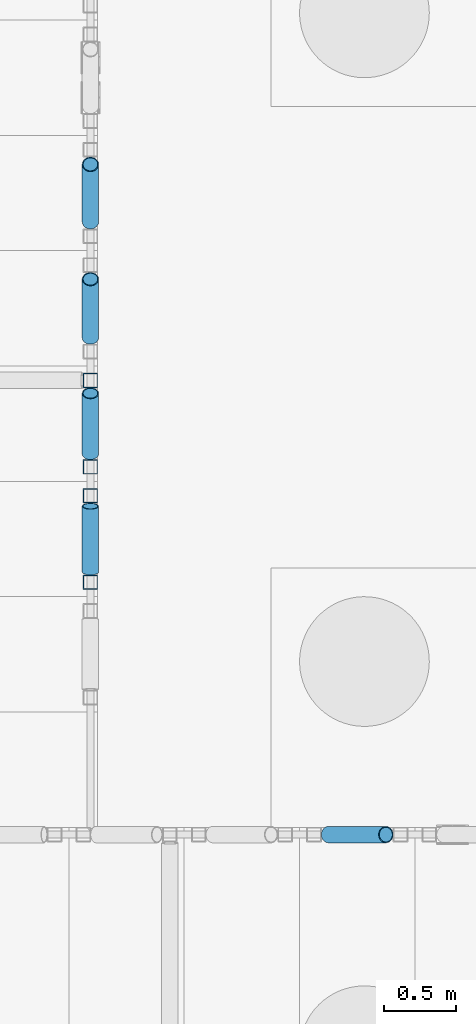
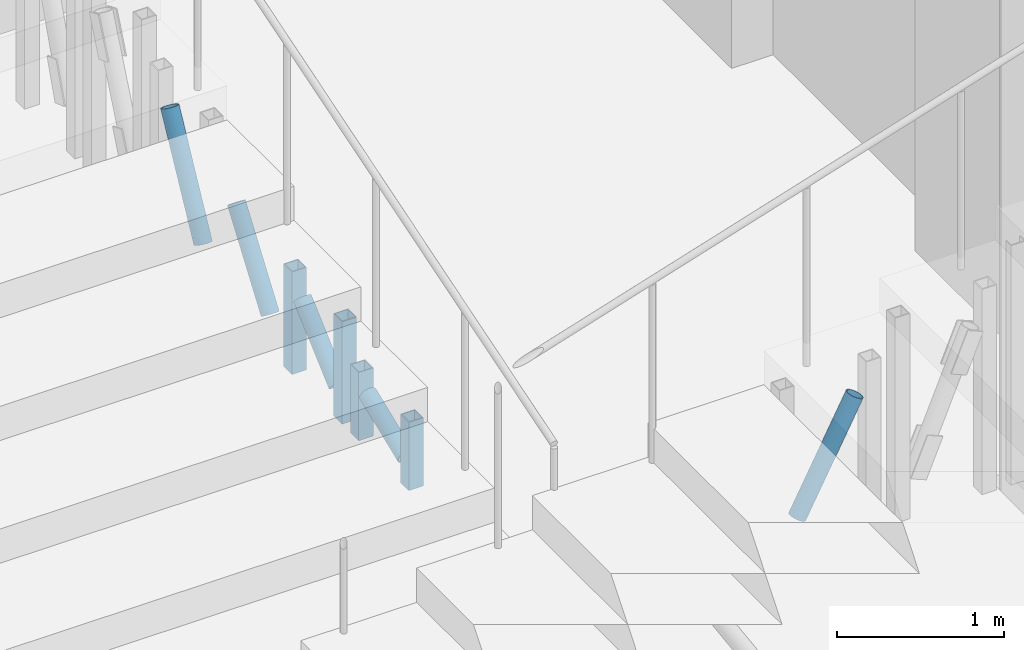
# One storey, part 71 of 139: 9 members.
"""IFC4 building model written with IfcOpenShell, lengths in metres."""

import ifcopenshell
import ifcopenshell.guid

model = None  # the IFC model being written
_history = None  # IfcOwnerHistory: only IFC2X3 demands one
_inside = {}  # id of a spatial element -> (the spatial element, [elements in it])
_under = {}  # id of a project, library or spatial element -> (it, [spatial elements below it])
_declared = {}  # id of a project -> (the project, [libraries it declares])
_typed = {}  # id of a type object -> (the type object, [elements of that type])
_made_of = {}  # id of a material, layer set ... -> (it, [elements and type objects made of it])


def new_model(schema):
    """Start an empty IFC model of exactly this schema.

    Asked for "IFC4X3", IfcOpenShell would pick the latest addendum, in which some entities
    have other attributes; the version numbers below select the first issue.
    IFC2X3 requires an IfcOwnerHistory on every rooted entity: one is made here for all.
    """
    global model, _history
    if schema == "IFC4X3":
        model = ifcopenshell.file(schema_version=(4, 3, 0, 0))
    else:
        model = ifcopenshell.file(schema=schema)
    _inside.clear()
    _under.clear()
    _declared.clear()
    _typed.clear()
    _made_of.clear()
    _history = None
    if model.schema == "IFC2X3":
        org = make("IfcOrganization", Name="unknown")
        user = make(
            "IfcPersonAndOrganization",
            ThePerson=make("IfcPerson", FamilyName="unknown"),
            TheOrganization=org,
        )
        app = make(
            "IfcApplication",
            ApplicationDeveloper=org,
            Version="unknown",
            ApplicationFullName="unknown",
            ApplicationIdentifier="unknown",
        )
        _history = make(
            "IfcOwnerHistory",
            OwningUser=user,
            OwningApplication=app,
            ChangeAction="ADDED",
            CreationDate=0,
        )
    return model


def make(cls, **values):
    """One entity of the class cls with the attributes given. An attribute that is None is left unset."""
    return model.create_entity(
        cls, **{name: value for name, value in values.items() if value is not None}
    )


def rooted(cls, **values):
    """An entity with a GlobalId (a new one), such as an element, a storey or a relation."""
    return make(cls, GlobalId=ifcopenshell.guid.new(), OwnerHistory=_history, **values)


def si_unit(unit_type, name, prefix=None):
    """IfcSIUnit, for example si_unit("LENGTHUNIT", "METRE", prefix="MILLI")."""
    return make("IfcSIUnit", UnitType=unit_type, Prefix=prefix, Name=name)


def assignment(units):
    """IfcUnitAssignment: the units of a project."""
    return None if units is None else make("IfcUnitAssignment", Units=units)


def point(xyz):
    """IfcCartesianPoint."""
    return None if xyz is None else make("IfcCartesianPoint", Coordinates=xyz)


def direction(xyz):
    """IfcDirection."""
    return None if xyz is None else make("IfcDirection", DirectionRatios=xyz)


def frame(location, z_axis=None, x_axis=None):
    """IfcAxis2Placement3D, a coordinate frame: its origin and axes. An axis left out is left unset."""
    return make(
        "IfcAxis2Placement3D",
        Location=point(location),
        Axis=direction(z_axis),
        RefDirection=direction(x_axis),
    )


def frame_2d(location, x_axis=None):
    """IfcAxis2Placement2D, a coordinate frame in the plane: its origin and x axis."""
    return make(
        "IfcAxis2Placement2D", Location=point(location), RefDirection=direction(x_axis)
    )


def origin():
    """The frame at (0, 0, 0) with its axes left unset."""
    return frame((0.0, 0.0, 0.0))


def origin_2d():
    """The frame at (0, 0) in the plane with its x axis left unset."""
    return frame_2d((0.0, 0.0))


def place(relative_to, where):
    """IfcLocalPlacement: puts the frame where relative to a parent placement (None: the world)."""
    return make(
        "IfcLocalPlacement", PlacementRelTo=relative_to, RelativePlacement=where
    )


def context(
    kind, dimensions, precision=None, world=None, true_north=None, identifier=None
):
    """IfcGeometricRepresentationContext, for example the 3D "Model" context."""
    return make(
        "IfcGeometricRepresentationContext",
        ContextIdentifier=identifier,
        ContextType=kind,
        CoordinateSpaceDimension=dimensions,
        Precision=precision,
        WorldCoordinateSystem=world,
        TrueNorth=true_north,
    )


def subcontext(parent, identifier, kind, view, scale=None):
    """IfcGeometricRepresentationSubContext, for example "Body" below "Model"."""
    return make(
        "IfcGeometricRepresentationSubContext",
        ContextIdentifier=identifier,
        ContextType=kind,
        ParentContext=parent,
        TargetScale=scale,
        TargetView=view,
    )


def project(units=None, contexts=None):
    """IfcProject with its units and contexts."""
    return rooted(
        "IfcProject",
        Name="project",
        RepresentationContexts=contexts,
        UnitsInContext=assignment(units),
    )


def spatial(cls, under=None, at=None, **own):
    """A site, building, storey or space (cls), placed at a placement, below another one or the project."""
    s = rooted(cls, ObjectPlacement=at, **own)
    if under is not None:
        _under.setdefault(under.id(), (under, []))[1].append(s)
    return s


def profile(cls, at=None, kind="AREA", **sizes):
    """A parametric profile (cls). Its sizes go by their IFC names, for example OverallWidth=200.0."""
    return make(cls, ProfileType=kind, Position=at, **sizes)


def hollow_rectangle(**sizes):
    """IfcRectangleHollowProfileDef."""
    return profile("IfcRectangleHollowProfileDef", **sizes)


def hollow_circle(**sizes):
    """IfcCircleHollowProfileDef."""
    return profile("IfcCircleHollowProfileDef", **sizes)


def extrude(swept, where, along, depth):
    """IfcExtrudedAreaSolid: the profile swept, set in the frame where, extruded along a direction by depth."""
    return make(
        "IfcExtrudedAreaSolid",
        SweptArea=swept,
        Position=where,
        ExtrudedDirection=direction(along),
        Depth=depth,
    )


def shape(context_of_items, identifier, shape_type, items):
    """IfcShapeRepresentation: the items that make up one representation, for example the "Body"."""
    return make(
        "IfcShapeRepresentation",
        ContextOfItems=context_of_items,
        RepresentationIdentifier=identifier,
        RepresentationType=shape_type,
        Items=items,
    )


def material(Name=None, Category=None):
    """IfcMaterial."""
    return make("IfcMaterial", Name=Name, Category=Category)


def material_profile(
    of_material, cross_section, Name=None, Category=None, Priority=None
):
    """IfcMaterialProfile: a cross section and its material."""
    return make(
        "IfcMaterialProfile",
        Name=Name,
        Material=of_material,
        Profile=cross_section,
        Priority=Priority,
        Category=Category,
    )


def profile_set(profiles, Name=None, composite=None):
    """IfcMaterialProfileSet."""
    return make(
        "IfcMaterialProfileSet",
        Name=Name,
        MaterialProfiles=profiles,
        CompositeProfile=composite,
    )


def made_of(thing, what):
    """Note that an element or type object is made of a material, layer set ...; save() writes the relation."""
    if what is not None:
        _made_of.setdefault(what.id(), (what, []))[1].append(thing)
    return thing


def type_object(cls, material=None, **own):
    """A type object (cls), such as IfcWallType, which elements share."""
    return made_of(rooted(cls, **own), material)


def element(
    cls,
    number,
    at=None,
    inside=None,
    cuts=None,
    type_object=None,
    material=None,
    context=None,
    identifier="Body",
    shape_type=None,
    held_by="IfcProductDefinitionShape",
    body=None,
    shapes=None,
    **own,
):
    """One element of the class cls, such as IfcWall. Its Tag is "e" and its number.

    at: its placement. inside: the storey or other place that contains it. cuts: it is an
    opening in that element (IfcRelVoidsElement). A single representation is given by context,
    identifier, shape_type and body (its items); several are given by shapes. held_by: the class
    of the entity that holds the representations. save() writes the other relations.
    """
    e = rooted(cls, Tag="e%d" % number, ObjectPlacement=at, **own)
    if body is not None:
        shapes = [shape(context, identifier, shape_type, body)]
    if shapes is not None:
        e.Representation = make(held_by, Representations=shapes)
    if inside is not None:
        _inside.setdefault(inside.id(), (inside, []))[1].append(e)
    if cuts is not None:
        rooted(
            "IfcRelVoidsElement", RelatingBuildingElement=cuts, RelatedOpeningElement=e
        )
    if type_object is not None:
        _typed.setdefault(type_object.id(), (type_object, []))[1].append(e)
    return made_of(e, material)


def aggregate(whole, parts):
    """IfcRelAggregates: a whole, such as a stair, and the parts it consists of."""
    return rooted("IfcRelAggregates", RelatingObject=whole, RelatedObjects=parts)


def save(model, path):
    """Write the relations noted so far, then the file.

    IfcRelAggregates (storeys below a building ...), IfcRelContainedInSpatialStructure (elements
    in a storey), IfcRelDefinesByType, IfcRelAssociatesMaterial and IfcRelDeclares: one each for
    every whole, place, type object, material and project.
    """
    for whole, parts in _under.values():
        aggregate(whole, parts)
    for where, things in _inside.values():
        rooted(
            "IfcRelContainedInSpatialStructure",
            RelatedElements=things,
            RelatingStructure=where,
        )
    for kind, things in _typed.values():
        rooted("IfcRelDefinesByType", RelatedObjects=things, RelatingType=kind)
    for what, things in _made_of.values():
        rooted("IfcRelAssociatesMaterial", RelatedObjects=things, RelatingMaterial=what)
    for by, libraries in _declared.values():
        rooted("IfcRelDeclares", RelatingContext=by, RelatedDefinitions=libraries)
    model.write(path)


model = new_model("IFC4")

# Units and contexts
model_context = context("Model", 3, precision=1e-05, world=origin(), true_north=direction((0.0, 1.0)))
body_context = subcontext(model_context, "Body", "Model", "MODEL_VIEW")
ifc_project = project(units=[si_unit("LENGTHUNIT", "METRE"), si_unit("AREAUNIT", "SQUARE_METRE"), si_unit("VOLUMEUNIT", "CUBIC_METRE"), si_unit("PLANEANGLEUNIT", "RADIAN"), si_unit("MASSUNIT", "GRAM", prefix="KILO")], contexts=[model_context])

# Site, building, storey
site_placement = place(None, origin())
site = spatial("IfcSite", under=ifc_project, at=site_placement, CompositionType="ELEMENT")
building_placement = place(site_placement, origin())
building = spatial("IfcBuilding", under=site, at=building_placement, Name="Verrick Yard Athletic Hall", CompositionType="ELEMENT")
storey_placement = place(building_placement, origin())
storey = spatial("IfcBuildingStorey", under=building, at=storey_placement, Name="L00", CompositionType="ELEMENT", Elevation=0.0)

# Members
ifc_material = material(Name="Structural steel HSS Class C 350W (CSA G40.20/G40.21)", Category="steel")
ifc_material_profile_1 = material_profile(ifc_material, hollow_circle(Radius=0.05712890625, WallThickness=0.00634765625, at=origin_2d()), Name="HSS114x6.4")
ifc_profile_set_1 = profile_set([ifc_material_profile_1], Name="Structural steel HSS Class C 350W (CSA G40.20/G40.21)")
member_type_1 = type_object("IfcMemberType", Name="HB roof brace HSS114x6.4", PredefinedType="BRACE", material=ifc_profile_set_1)
member_1_placement = place(storey_placement, frame((166.34912109375, 95.572021484375, 0.158447265625), z_axis=(0.0, 0.927927248066, 0.372761347643), x_axis=(-1.0, 0.0, 0.0)))
element("IfcMember", 1, at=member_1_placement, inside=storey, type_object=member_type_1, Name="HB-BRS-RSA1-z3", PredefinedType="BRACE", context=body_context, shape_type="SweptSolid", body=[
    extrude(hollow_circle(Radius=0.05712890625, WallThickness=0.00634765625, at=origin_2d()), origin(), (0.0, 0.0, 1.0), 0.4912109375),
])
member_2_placement = place(storey_placement, frame((166.34912109375, 96.38916015625, 0.1845703125), z_axis=(0.0, 0.74207506315, 0.670316791264), x_axis=(-1.0, 0.0, 0.0)))
element("IfcMember", 2, at=member_2_placement, inside=storey, type_object=member_type_1, Name="HB-BRS-RSA1-z4", PredefinedType="BRACE", context=body_context, shape_type="SweptSolid", body=[
    extrude(hollow_circle(Radius=0.05712890625, WallThickness=0.00634765625, at=origin_2d()), origin(), (0.0, 0.0, 1.0), 0.568115234375),
])
member_3_placement = place(storey_placement, frame((166.34912109375, 97.197265625, 0.21533203125), z_axis=(0.0, 0.579915574344, 0.814676577934), x_axis=(-1.0, 0.0, 0.0)))
element("IfcMember", 3, at=member_3_placement, inside=storey, type_object=member_type_1, Name="HB-BRS-RSA1-z5", PredefinedType="BRACE", context=body_context, shape_type="SweptSolid", body=[
    extrude(hollow_circle(Radius=0.05712890625, WallThickness=0.00634765625, at=origin_2d()), origin(), (0.0, 0.0, 1.0), 0.69873046875),
])
for number, where, z_axis, x_axis, name in (
    (4, (166.34912109375, 98.00146484375, 0.24658203125), (0.0, 0.464721937925, 0.885456673367), (-1.0, 0.0, 0.0), "HB-BRS-RSA1-z6"),
    (5, (168.00146484375, 93.749267578125, 0.24658203125), (0.464721937925, 0.0, 0.885456673367), (0.0, 1.0, 0.0), "HB-BRS-RSA2-z6"),
):
    element("IfcMember", number, at=place(storey_placement, frame(where, z_axis=z_axis, x_axis=x_axis)), inside=storey, type_object=member_type_1, Name=name, PredefinedType="BRACE", context=body_context, shape_type="SweptSolid", body=[
        extrude(hollow_circle(Radius=0.05712890625, WallThickness=0.00634765625, at=origin_2d()), origin(), (0.0, 0.0, 1.0), 0.854736328125),
    ])
ifc_material_profile_2 = material_profile(ifc_material, hollow_rectangle(XDim=0.1015625, YDim=0.1015625, WallThickness=0.00634765625, at=origin_2d()), Name="HSS102x102x6.4")
ifc_profile_set_2 = profile_set([ifc_material_profile_2], Name="Structural steel HSS Class C 350W (CSA G40.20/G40.21)")
member_type_2 = type_object("IfcMemberType", Name="HB seating post HSS102x102x6.4", PredefinedType="POST", material=ifc_profile_set_2)
for number, where, z_axis, x_axis, name in (
    (6, (166.34912109375, 95.5, 0.0), (0.0, 0.0, 1.0), (0.0, 1.0, 0.0), "HB-SP-RSA1-T3f13"),
    (7, (166.34912109375, 96.10009765625, 0.0), (0.0, 0.0, 1.0), (0.0, 1.0, 0.0), "HB-SP-RSA1-T3b13"),
):
    element("IfcMember", number, at=place(storey_placement, frame(where, z_axis=z_axis, x_axis=x_axis)), inside=storey, type_object=member_type_2, Name=name, PredefinedType="POST", context=body_context, shape_type="SweptSolid", body=[
        extrude(hollow_rectangle(XDim=0.1015625, YDim=0.1015625, WallThickness=0.00634765625, at=origin_2d()), origin(), (0.0, 0.0, 1.0), 0.5),
    ])
for number, where, z_axis, x_axis, name in (
    (8, (166.34912109375, 96.300048828125, 0.0), (0.0, 0.0, 1.0), (0.0, 1.0, 0.0), "HB-SP-RSA1-T4f13"),
    (9, (166.34912109375, 96.89990234375, 0.0), (0.0, 0.0, 1.0), (0.0, 1.0, 0.0), "HB-SP-RSA1-T4b13"),
):
    element("IfcMember", number, at=place(storey_placement, frame(where, z_axis=z_axis, x_axis=x_axis)), inside=storey, type_object=member_type_2, Name=name, PredefinedType="POST", context=body_context, shape_type="SweptSolid", body=[
        extrude(hollow_rectangle(XDim=0.1015625, YDim=0.1015625, WallThickness=0.00634765625, at=origin_2d()), origin(), (0.0, 0.0, 1.0), 0.75),
    ])

save(model, "model.ifc")
